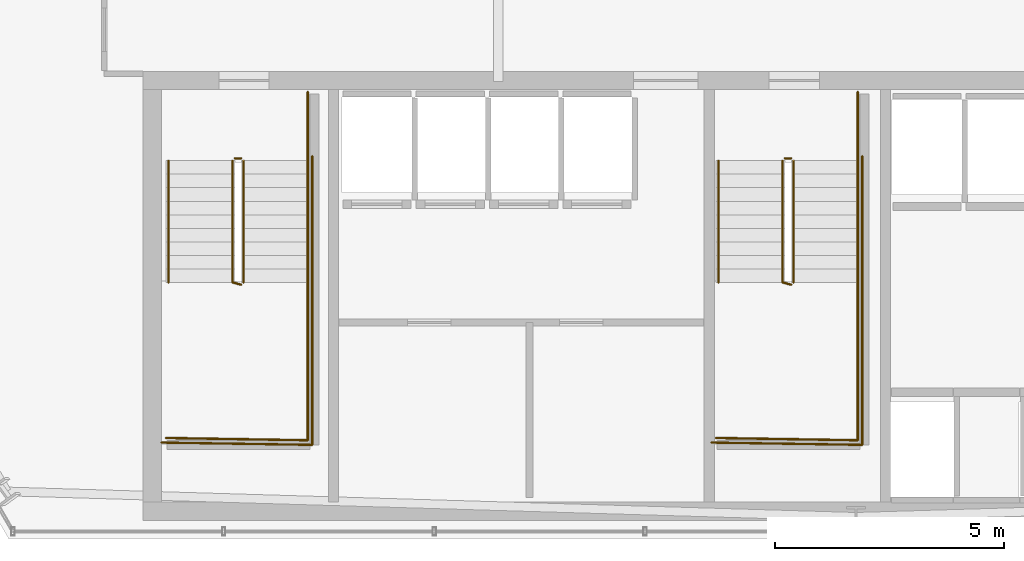
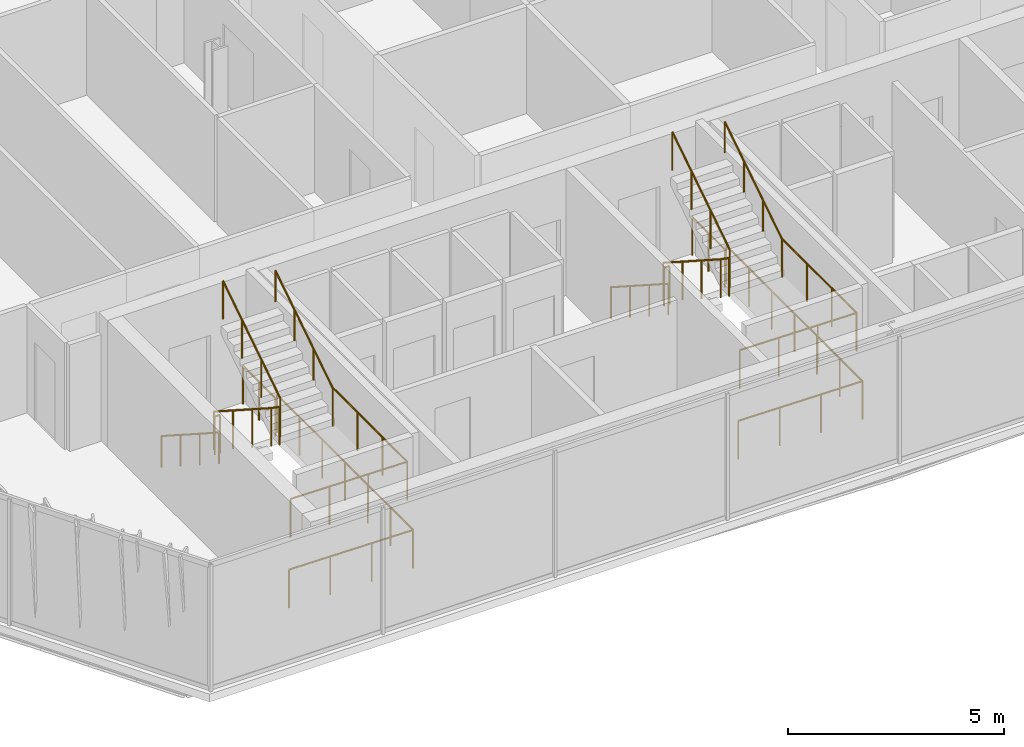
# One storey, part 31 of 33: 16 railings.
"""IFC4 building model written with IfcOpenShell, lengths in metres."""

from ifc_helpers import new_model, si_unit, direction, frame, origin, origin_2d, place, context, subcontext, project, spatial, circle, extrude, material, layer, layer_set, type_object, element, save


model = new_model("IFC4")

# Units and contexts
model_context = context("Model", 3, precision=1e-05, world=origin(), true_north=direction((0.0, 1.0)))
body_context = subcontext(model_context, "Body", "Model", "MODEL_VIEW")
ifc_project = project(units=[si_unit("LENGTHUNIT", "METRE"), si_unit("AREAUNIT", "SQUARE_METRE"), si_unit("VOLUMEUNIT", "CUBIC_METRE"), si_unit("PLANEANGLEUNIT", "RADIAN"), si_unit("MASSUNIT", "GRAM", prefix="KILO")], contexts=[model_context])

# Site, building, storey
site_placement = place(None, origin())
site = spatial("IfcSite", under=ifc_project, at=site_placement, CompositionType="ELEMENT")
building_placement = place(site_placement, origin())
building = spatial("IfcBuilding", under=site, at=building_placement, Name="Ndaravel Arena Tower", CompositionType="ELEMENT")
storey_placement = place(building_placement, frame((0.0, 0.0, 168.800048828125)))
storey = spatial("IfcBuildingStorey", under=building, at=storey_placement, Name="L40", CompositionType="ELEMENT", Elevation=168.800048828125)

# Railings
ifc_material_1 = material(Name="Steel S355", Category="steel")
ifc_layer_1 = layer(ifc_material_1, 0.06005859375)
ifc_layer_set_1 = layer_set([ifc_layer_1], Name="Steel S355")
railing_type_1 = type_object("IfcRailingType", Name="RAIL-STAIR-GD1100", PredefinedType="GUARDRAIL", material=ifc_layer_set_1)
railing_1_placement = place(storey_placement, frame((28.39990234375, 13.25, 0.18994140625)))
element("IfcRailing", 1, at=railing_1_placement, inside=storey, type_object=railing_type_1, Name="L40 ST-1 stair guard 1", PredefinedType="GUARDRAIL", context=body_context, shape_type="SweptSolid", body=[
    extrude(circle(Radius=0.02392578125, at=origin_2d()), frame((0.0, 0.0, 1.076171875), z_axis=(0.0, -0.840723540582, 0.54146461409), x_axis=(1.0, 0.0, 0.0)), (0.0, 0.0, 1.0), 3.157958984375),
    extrude(circle(Radius=0.02392578125, at=origin_2d()), frame((0.0, -2.655029296875, 2.7861328125), z_axis=(0.967074537263, -0.25449329928, 0.0), x_axis=(0.25449329928, 0.967074537263, 0.0)), (0.0, 0.0, 1.0), 0.19677734375),
    extrude(circle(Radius=0.02099609375, at=origin_2d()), origin(), (0.0, 0.0, 1.0), 1.052001953125),
    extrude(circle(Radius=0.02099609375, at=origin_2d()), frame((0.0, -0.885009765625, 0.570068359375)), (0.0, 0.0, 1.0), 1.052001953125),
    extrude(circle(Radius=0.02099609375, at=origin_2d()), frame((0.0, -1.77001953125, 1.139892578125)), (0.0, 0.0, 1.0), 1.052001953125),
    extrude(circle(Radius=0.02099609375, at=origin_2d()), frame((0.0, -2.655029296875, 1.7099609375)), (0.0, 0.0, 1.0), 1.052001953125),
    extrude(circle(Radius=0.02099609375, at=origin_2d()), frame((0.190185546875, -2.705078125, 1.7099609375)), (0.0, 0.0, 1.0), 1.052001953125),
])
railing_2_placement = place(storey_placement, frame((30.0400390625, 10.594970703125, 1.89990234375)))
element("IfcRailing", 2, at=railing_2_placement, inside=storey, type_object=railing_type_1, Name="L40 ST-1 stair guard 2", PredefinedType="GUARDRAIL", context=body_context, shape_type="SweptSolid", body=[
    extrude(circle(Radius=0.02392578125, at=origin_2d()), frame((0.0, 0.0, 1.076171875), z_axis=(0.0, -1.0, 0.0), x_axis=(1.0, 0.0, 0.0)), (0.0, 0.0, 1.0), 3.445068359375),
    extrude(circle(Radius=0.02392578125, at=origin_2d()), frame((0.0, -3.445068359375, 1.076171875), z_axis=(-0.999868861343, 0.016194447071, 0.0), x_axis=(-0.016194447071, -0.999868861343, 0.0)), (0.0, 0.0, 1.0), 3.090576171875),
    extrude(circle(Radius=0.02099609375, at=origin_2d()), origin(), (0.0, 0.0, 1.0), 1.052001953125),
    extrude(circle(Radius=0.02099609375, at=origin_2d()), frame((0.0, -1.1484375, 0.0)), (0.0, 0.0, 1.0), 1.052001953125),
    extrude(circle(Radius=0.02099609375, at=origin_2d()), frame((0.0, -2.296630859375, 0.0)), (0.0, 0.0, 1.0), 1.052001953125),
    extrude(circle(Radius=0.02099609375, at=origin_2d()), frame((0.0, -3.445068359375, 0.0)), (0.0, 0.0, 1.0), 1.052001953125),
    extrude(circle(Radius=0.02099609375, at=origin_2d()), frame((-1.030029296875, -3.428466796875, 0.0)), (0.0, 0.0, 1.0), 1.052001953125),
    extrude(circle(Radius=0.02099609375, at=origin_2d()), frame((-2.06005859375, -3.41162109375, 0.0)), (0.0, 0.0, 1.0), 1.052001953125),
    extrude(circle(Radius=0.02099609375, at=origin_2d()), frame((-3.090087890625, -3.39501953125, 0.0)), (0.0, 0.0, 1.0), 1.052001953125),
])
railing_3_placement = place(storey_placement, frame((28.639892578125, 10.594970703125, 2.08984375)))
element("IfcRailing", 3, at=railing_3_placement, inside=storey, type_object=railing_type_1, Name="L40 ST-1 stair guard 3", PredefinedType="GUARDRAIL", context=body_context, shape_type="SweptSolid", body=[
    extrude(circle(Radius=0.02392578125, at=origin_2d()), frame((0.0, 0.0, 1.076171875), z_axis=(0.0, 0.840688348013, 0.541519253134), x_axis=(-1.0, 0.0, 0.0)), (0.0, 0.0, 1.0), 3.158203125),
    extrude(circle(Radius=0.02099609375, at=origin_2d()), origin(), (0.0, 0.0, 1.0), 1.052001953125),
    extrude(circle(Radius=0.02099609375, at=origin_2d()), frame((0.0, 0.885009765625, 0.570068359375)), (0.0, 0.0, 1.0), 1.052001953125),
    extrude(circle(Radius=0.02099609375, at=origin_2d()), frame((0.0, 1.77001953125, 1.14013671875)), (0.0, 0.0, 1.0), 1.052001953125),
    extrude(circle(Radius=0.02099609375, at=origin_2d()), frame((0.0, 2.655029296875, 1.710205078125)), (0.0, 0.0, 1.0), 1.052001953125),
])
railing_4_placement = place(storey_placement, frame((28.449951171875, 13.300048828125, 0.0)))
element("IfcRailing", 4, at=railing_4_placement, inside=storey, type_object=railing_type_1, Name="L40 ST-1 stair guard 4", PredefinedType="GUARDRAIL", context=body_context, shape_type="SweptSolid", body=[
    extrude(circle(Radius=0.02392578125, at=origin_2d()), frame((0.0, 0.0, 1.076171875), z_axis=(1.0, 0.0, 0.0), x_axis=(0.0, 1.0, 0.0)), (0.0, 0.0, 1.0), 0.14013671875),
    extrude(circle(Radius=0.02099609375, at=origin_2d()), origin(), (0.0, 0.0, 1.0), 1.052001953125),
    extrude(circle(Radius=0.02099609375, at=origin_2d()), frame((0.14013671875, 0.0, 0.0)), (0.0, 0.0, 1.0), 1.052001953125),
])
railing_5_placement = place(storey_placement, frame((30.0400390625, 14.75, 0.0)))
element("IfcRailing", 5, at=railing_5_placement, inside=storey, type_object=railing_type_1, Name="L40 ST-1 stair guard 5", PredefinedType="GUARDRAIL", context=body_context, shape_type="SweptSolid", body=[
    extrude(circle(Radius=0.02392578125, at=origin_2d()), frame((0.0, 0.0, 1.076171875), z_axis=(0.0, -1.0, 0.0), x_axis=(1.0, 0.0, 0.0)), (0.0, 0.0, 1.0), 1.5),
    extrude(circle(Radius=0.02099609375, at=origin_2d()), origin(), (0.0, 0.0, 1.0), 1.052001953125),
    extrude(circle(Radius=0.02099609375, at=origin_2d()), frame((0.0, -0.75, 0.0)), (0.0, 0.0, 1.0), 1.052001953125),
    extrude(circle(Radius=0.02099609375, at=origin_2d()), frame((0.0, -1.5, 0.0)), (0.0, 0.0, 1.0), 1.052001953125),
])
railing_6_placement = place(storey_placement, frame((30.139892578125, 13.35009765625, 0.0)))
element("IfcRailing", 6, at=railing_6_placement, inside=storey, type_object=railing_type_1, Name="L40 ST-1 stair guard 6", PredefinedType="GUARDRAIL", context=body_context, shape_type="SweptSolid", body=[
    extrude(circle(Radius=0.02392578125, at=origin_2d()), frame((0.0, 0.0, 1.076171875), z_axis=(0.0, -1.0, 0.0), x_axis=(1.0, 0.0, 0.0)), (0.0, 0.0, 1.0), 6.300048828125),
    extrude(circle(Radius=0.02392578125, at=origin_2d()), frame((0.0, -6.300048828125, 1.076171875), z_axis=(-0.999884296952, 0.015211597839, 0.0), x_axis=(-0.015211597839, -0.999884296952, 0.0)), (0.0, 0.0, 1.0), 3.290283203125),
    extrude(circle(Radius=0.02099609375, at=origin_2d()), origin(), (0.0, 0.0, 1.0), 1.052001953125),
    extrude(circle(Radius=0.02099609375, at=origin_2d()), frame((0.0, -1.050048828125, 0.0)), (0.0, 0.0, 1.0), 1.052001953125),
    extrude(circle(Radius=0.02099609375, at=origin_2d()), frame((0.0, -2.10009765625, 0.0)), (0.0, 0.0, 1.0), 1.052001953125),
    extrude(circle(Radius=0.02099609375, at=origin_2d()), frame((0.0, -3.14990234375, 0.0)), (0.0, 0.0, 1.0), 1.052001953125),
    extrude(circle(Radius=0.02099609375, at=origin_2d()), frame((0.0, -4.199951171875, 0.0)), (0.0, 0.0, 1.0), 1.052001953125),
    extrude(circle(Radius=0.02099609375, at=origin_2d()), frame((0.0, -5.25, 0.0)), (0.0, 0.0, 1.0), 1.052001953125),
    extrude(circle(Radius=0.02099609375, at=origin_2d()), frame((0.0, -6.300048828125, 0.0)), (0.0, 0.0, 1.0), 1.052001953125),
    extrude(circle(Radius=0.02099609375, at=origin_2d()), frame((-1.0966796875, -6.283447265625, 0.0)), (0.0, 0.0, 1.0), 1.052001953125),
    extrude(circle(Radius=0.02099609375, at=origin_2d()), frame((-2.193115234375, -6.2666015625, 0.0)), (0.0, 0.0, 1.0), 1.052001953125),
    extrude(circle(Radius=0.02099609375, at=origin_2d()), frame((-3.289794921875, -6.25, 0.0)), (0.0, 0.0, 1.0), 1.052001953125),
])
railing_7_placement = place(storey_placement, frame((40.39990234375, 13.25, 0.18994140625)))
element("IfcRailing", 7, at=railing_7_placement, inside=storey, type_object=railing_type_1, Name="L40 ST-2 stair guard 1", PredefinedType="GUARDRAIL", context=body_context, shape_type="SweptSolid", body=[
    extrude(circle(Radius=0.02392578125, at=origin_2d()), frame((0.0, 0.0, 1.076171875), z_axis=(0.0, -0.840723540582, 0.54146461409), x_axis=(1.0, 0.0, 0.0)), (0.0, 0.0, 1.0), 3.157958984375),
    extrude(circle(Radius=0.02392578125, at=origin_2d()), frame((0.0, -2.655029296875, 2.7861328125), z_axis=(0.967074537263, -0.25449329928, 0.0), x_axis=(0.25449329928, 0.967074537263, 0.0)), (0.0, 0.0, 1.0), 0.19677734375),
    extrude(circle(Radius=0.02099609375, at=origin_2d()), origin(), (0.0, 0.0, 1.0), 1.052001953125),
    extrude(circle(Radius=0.02099609375, at=origin_2d()), frame((0.0, -0.885009765625, 0.570068359375)), (0.0, 0.0, 1.0), 1.052001953125),
    extrude(circle(Radius=0.02099609375, at=origin_2d()), frame((0.0, -1.77001953125, 1.139892578125)), (0.0, 0.0, 1.0), 1.052001953125),
    extrude(circle(Radius=0.02099609375, at=origin_2d()), frame((0.0, -2.655029296875, 1.7099609375)), (0.0, 0.0, 1.0), 1.052001953125),
    extrude(circle(Radius=0.02099609375, at=origin_2d()), frame((0.190185546875, -2.705078125, 1.7099609375)), (0.0, 0.0, 1.0), 1.052001953125),
])
railing_8_placement = place(storey_placement, frame((42.0400390625, 10.594970703125, 1.89990234375)))
element("IfcRailing", 8, at=railing_8_placement, inside=storey, type_object=railing_type_1, Name="L40 ST-2 stair guard 2", PredefinedType="GUARDRAIL", context=body_context, shape_type="SweptSolid", body=[
    extrude(circle(Radius=0.02392578125, at=origin_2d()), frame((0.0, 0.0, 1.076171875), z_axis=(0.0, -1.0, 0.0), x_axis=(1.0, 0.0, 0.0)), (0.0, 0.0, 1.0), 3.445068359375),
    extrude(circle(Radius=0.02392578125, at=origin_2d()), frame((0.0, -3.445068359375, 1.076171875), z_axis=(-0.999868861343, 0.016194447071, 0.0), x_axis=(-0.016194447071, -0.999868861343, 0.0)), (0.0, 0.0, 1.0), 3.090576171875),
    extrude(circle(Radius=0.02099609375, at=origin_2d()), origin(), (0.0, 0.0, 1.0), 1.052001953125),
    extrude(circle(Radius=0.02099609375, at=origin_2d()), frame((0.0, -1.1484375, 0.0)), (0.0, 0.0, 1.0), 1.052001953125),
    extrude(circle(Radius=0.02099609375, at=origin_2d()), frame((0.0, -2.296630859375, 0.0)), (0.0, 0.0, 1.0), 1.052001953125),
    extrude(circle(Radius=0.02099609375, at=origin_2d()), frame((0.0, -3.445068359375, 0.0)), (0.0, 0.0, 1.0), 1.052001953125),
    extrude(circle(Radius=0.02099609375, at=origin_2d()), frame((-1.030029296875, -3.428466796875, 0.0)), (0.0, 0.0, 1.0), 1.052001953125),
    extrude(circle(Radius=0.02099609375, at=origin_2d()), frame((-2.06005859375, -3.41162109375, 0.0)), (0.0, 0.0, 1.0), 1.052001953125),
    extrude(circle(Radius=0.02099609375, at=origin_2d()), frame((-3.090087890625, -3.39501953125, 0.0)), (0.0, 0.0, 1.0), 1.052001953125),
])
railing_9_placement = place(storey_placement, frame((40.639892578125, 10.594970703125, 2.08984375)))
element("IfcRailing", 9, at=railing_9_placement, inside=storey, type_object=railing_type_1, Name="L40 ST-2 stair guard 3", PredefinedType="GUARDRAIL", context=body_context, shape_type="SweptSolid", body=[
    extrude(circle(Radius=0.02392578125, at=origin_2d()), frame((0.0, 0.0, 1.076171875), z_axis=(0.0, 0.840688348013, 0.541519253134), x_axis=(-1.0, 0.0, 0.0)), (0.0, 0.0, 1.0), 3.158203125),
    extrude(circle(Radius=0.02099609375, at=origin_2d()), origin(), (0.0, 0.0, 1.0), 1.052001953125),
    extrude(circle(Radius=0.02099609375, at=origin_2d()), frame((0.0, 0.885009765625, 0.570068359375)), (0.0, 0.0, 1.0), 1.052001953125),
    extrude(circle(Radius=0.02099609375, at=origin_2d()), frame((0.0, 1.77001953125, 1.14013671875)), (0.0, 0.0, 1.0), 1.052001953125),
    extrude(circle(Radius=0.02099609375, at=origin_2d()), frame((0.0, 2.655029296875, 1.710205078125)), (0.0, 0.0, 1.0), 1.052001953125),
])
railing_10_placement = place(storey_placement, frame((40.449951171875, 13.300048828125, 0.0)))
element("IfcRailing", 10, at=railing_10_placement, inside=storey, type_object=railing_type_1, Name="L40 ST-2 stair guard 4", PredefinedType="GUARDRAIL", context=body_context, shape_type="SweptSolid", body=[
    extrude(circle(Radius=0.02392578125, at=origin_2d()), frame((0.0, 0.0, 1.076171875), z_axis=(1.0, 0.0, 0.0), x_axis=(0.0, 1.0, 0.0)), (0.0, 0.0, 1.0), 0.14013671875),
    extrude(circle(Radius=0.02099609375, at=origin_2d()), origin(), (0.0, 0.0, 1.0), 1.052001953125),
    extrude(circle(Radius=0.02099609375, at=origin_2d()), frame((0.14013671875, 0.0, 0.0)), (0.0, 0.0, 1.0), 1.052001953125),
])
railing_11_placement = place(storey_placement, frame((42.0400390625, 14.75, 0.0)))
element("IfcRailing", 11, at=railing_11_placement, inside=storey, type_object=railing_type_1, Name="L40 ST-2 stair guard 5", PredefinedType="GUARDRAIL", context=body_context, shape_type="SweptSolid", body=[
    extrude(circle(Radius=0.02392578125, at=origin_2d()), frame((0.0, 0.0, 1.076171875), z_axis=(0.0, -1.0, 0.0), x_axis=(1.0, 0.0, 0.0)), (0.0, 0.0, 1.0), 1.5),
    extrude(circle(Radius=0.02099609375, at=origin_2d()), origin(), (0.0, 0.0, 1.0), 1.052001953125),
    extrude(circle(Radius=0.02099609375, at=origin_2d()), frame((0.0, -0.75, 0.0)), (0.0, 0.0, 1.0), 1.052001953125),
    extrude(circle(Radius=0.02099609375, at=origin_2d()), frame((0.0, -1.5, 0.0)), (0.0, 0.0, 1.0), 1.052001953125),
])
railing_12_placement = place(storey_placement, frame((42.139892578125, 13.35009765625, 0.0)))
element("IfcRailing", 12, at=railing_12_placement, inside=storey, type_object=railing_type_1, Name="L40 ST-2 stair guard 6", PredefinedType="GUARDRAIL", context=body_context, shape_type="SweptSolid", body=[
    extrude(circle(Radius=0.02392578125, at=origin_2d()), frame((0.0, 0.0, 1.076171875), z_axis=(0.0, -1.0, 0.0), x_axis=(1.0, 0.0, 0.0)), (0.0, 0.0, 1.0), 6.300048828125),
    extrude(circle(Radius=0.02392578125, at=origin_2d()), frame((0.0, -6.300048828125, 1.076171875), z_axis=(-0.999884296952, 0.015211597839, 0.0), x_axis=(-0.015211597839, -0.999884296952, 0.0)), (0.0, 0.0, 1.0), 3.290283203125),
    extrude(circle(Radius=0.02099609375, at=origin_2d()), origin(), (0.0, 0.0, 1.0), 1.052001953125),
    extrude(circle(Radius=0.02099609375, at=origin_2d()), frame((0.0, -1.050048828125, 0.0)), (0.0, 0.0, 1.0), 1.052001953125),
    extrude(circle(Radius=0.02099609375, at=origin_2d()), frame((0.0, -2.10009765625, 0.0)), (0.0, 0.0, 1.0), 1.052001953125),
    extrude(circle(Radius=0.02099609375, at=origin_2d()), frame((0.0, -3.14990234375, 0.0)), (0.0, 0.0, 1.0), 1.052001953125),
    extrude(circle(Radius=0.02099609375, at=origin_2d()), frame((0.0, -4.199951171875, 0.0)), (0.0, 0.0, 1.0), 1.052001953125),
    extrude(circle(Radius=0.02099609375, at=origin_2d()), frame((0.0, -5.25, 0.0)), (0.0, 0.0, 1.0), 1.052001953125),
    extrude(circle(Radius=0.02099609375, at=origin_2d()), frame((0.0, -6.300048828125, 0.0)), (0.0, 0.0, 1.0), 1.052001953125),
    extrude(circle(Radius=0.02099609375, at=origin_2d()), frame((-1.0966796875, -6.283447265625, 0.0)), (0.0, 0.0, 1.0), 1.052001953125),
    extrude(circle(Radius=0.02099609375, at=origin_2d()), frame((-2.193115234375, -6.2666015625, 0.0)), (0.0, 0.0, 1.0), 1.052001953125),
    extrude(circle(Radius=0.02099609375, at=origin_2d()), frame((-3.289794921875, -6.25, 0.0)), (0.0, 0.0, 1.0), 1.052001953125),
])
ifc_material_2 = material(Name="Steel S355", Category="steel")
ifc_layer_2 = layer(ifc_material_2, 0.050048828125)
ifc_layer_set_2 = layer_set([ifc_layer_2], Name="Steel S355")
railing_type_2 = type_object("IfcRailingType", Name="RAIL-STAIR-HR920", PredefinedType="HANDRAIL", material=ifc_layer_set_2)
railing_13_placement = place(storey_placement, frame((27.0, 13.25, 0.18994140625)))
element("IfcRailing", 13, at=railing_13_placement, inside=storey, type_object=railing_type_2, Name="L40 ST-1 stair handrail 1", PredefinedType="HANDRAIL", context=body_context, shape_type="SweptSolid", body=[
    extrude(circle(Radius=0.02392578125, at=origin_2d()), frame((0.0, 0.0, 0.8759765625), z_axis=(0.0, -0.840723540582, 0.54146461409), x_axis=(1.0, 0.0, 0.0)), (0.0, 0.0, 1.0), 3.157958984375),
    extrude(circle(Radius=0.02099609375, at=origin_2d()), origin(), (0.0, 0.0, 1.0), 0.851806640625),
    extrude(circle(Radius=0.02099609375, at=origin_2d()), frame((0.0, -0.885009765625, 0.570068359375)), (0.0, 0.0, 1.0), 0.851806640625),
    extrude(circle(Radius=0.02099609375, at=origin_2d()), frame((0.0, -1.77001953125, 1.139892578125)), (0.0, 0.0, 1.0), 0.851806640625),
    extrude(circle(Radius=0.02099609375, at=origin_2d()), frame((0.0, -2.655029296875, 1.7099609375)), (0.0, 0.0, 1.0), 0.851806640625),
])
railing_14_placement = place(storey_placement, frame((30.0400390625, 10.594970703125, 2.08984375)))
element("IfcRailing", 14, at=railing_14_placement, inside=storey, type_object=railing_type_2, Name="L40 ST-1 stair handrail 2", PredefinedType="HANDRAIL", context=body_context, shape_type="SweptSolid", body=[
    extrude(circle(Radius=0.02392578125, at=origin_2d()), frame((0.0, 0.0, 0.8759765625), z_axis=(0.0, 0.840688348013, 0.541519253134), x_axis=(-1.0, 0.0, 0.0)), (0.0, 0.0, 1.0), 3.158203125),
    extrude(circle(Radius=0.02099609375, at=origin_2d()), origin(), (0.0, 0.0, 1.0), 0.851806640625),
    extrude(circle(Radius=0.02099609375, at=origin_2d()), frame((0.0, 0.885009765625, 0.570068359375)), (0.0, 0.0, 1.0), 0.851806640625),
    extrude(circle(Radius=0.02099609375, at=origin_2d()), frame((0.0, 1.77001953125, 1.14013671875)), (0.0, 0.0, 1.0), 0.851806640625),
    extrude(circle(Radius=0.02099609375, at=origin_2d()), frame((0.0, 2.655029296875, 1.710205078125)), (0.0, 0.0, 1.0), 0.851806640625),
])
railing_15_placement = place(storey_placement, frame((39.0, 13.25, 0.18994140625)))
element("IfcRailing", 15, at=railing_15_placement, inside=storey, type_object=railing_type_2, Name="L40 ST-2 stair handrail 1", PredefinedType="HANDRAIL", context=body_context, shape_type="SweptSolid", body=[
    extrude(circle(Radius=0.02392578125, at=origin_2d()), frame((0.0, 0.0, 0.8759765625), z_axis=(0.0, -0.840723540582, 0.54146461409), x_axis=(1.0, 0.0, 0.0)), (0.0, 0.0, 1.0), 3.157958984375),
    extrude(circle(Radius=0.02099609375, at=origin_2d()), origin(), (0.0, 0.0, 1.0), 0.851806640625),
    extrude(circle(Radius=0.02099609375, at=origin_2d()), frame((0.0, -0.885009765625, 0.570068359375)), (0.0, 0.0, 1.0), 0.851806640625),
    extrude(circle(Radius=0.02099609375, at=origin_2d()), frame((0.0, -1.77001953125, 1.139892578125)), (0.0, 0.0, 1.0), 0.851806640625),
    extrude(circle(Radius=0.02099609375, at=origin_2d()), frame((0.0, -2.655029296875, 1.7099609375)), (0.0, 0.0, 1.0), 0.851806640625),
])
railing_16_placement = place(storey_placement, frame((42.0400390625, 10.594970703125, 2.08984375)))
element("IfcRailing", 16, at=railing_16_placement, inside=storey, type_object=railing_type_2, Name="L40 ST-2 stair handrail 2", PredefinedType="HANDRAIL", context=body_context, shape_type="SweptSolid", body=[
    extrude(circle(Radius=0.02392578125, at=origin_2d()), frame((0.0, 0.0, 0.8759765625), z_axis=(0.0, 0.840688348013, 0.541519253134), x_axis=(-1.0, 0.0, 0.0)), (0.0, 0.0, 1.0), 3.158203125),
    extrude(circle(Radius=0.02099609375, at=origin_2d()), origin(), (0.0, 0.0, 1.0), 0.851806640625),
    extrude(circle(Radius=0.02099609375, at=origin_2d()), frame((0.0, 0.885009765625, 0.570068359375)), (0.0, 0.0, 1.0), 0.851806640625),
    extrude(circle(Radius=0.02099609375, at=origin_2d()), frame((0.0, 1.77001953125, 1.14013671875)), (0.0, 0.0, 1.0), 0.851806640625),
    extrude(circle(Radius=0.02099609375, at=origin_2d()), frame((0.0, 2.655029296875, 1.710205078125)), (0.0, 0.0, 1.0), 0.851806640625),
])

save(model, "model.ifc")
